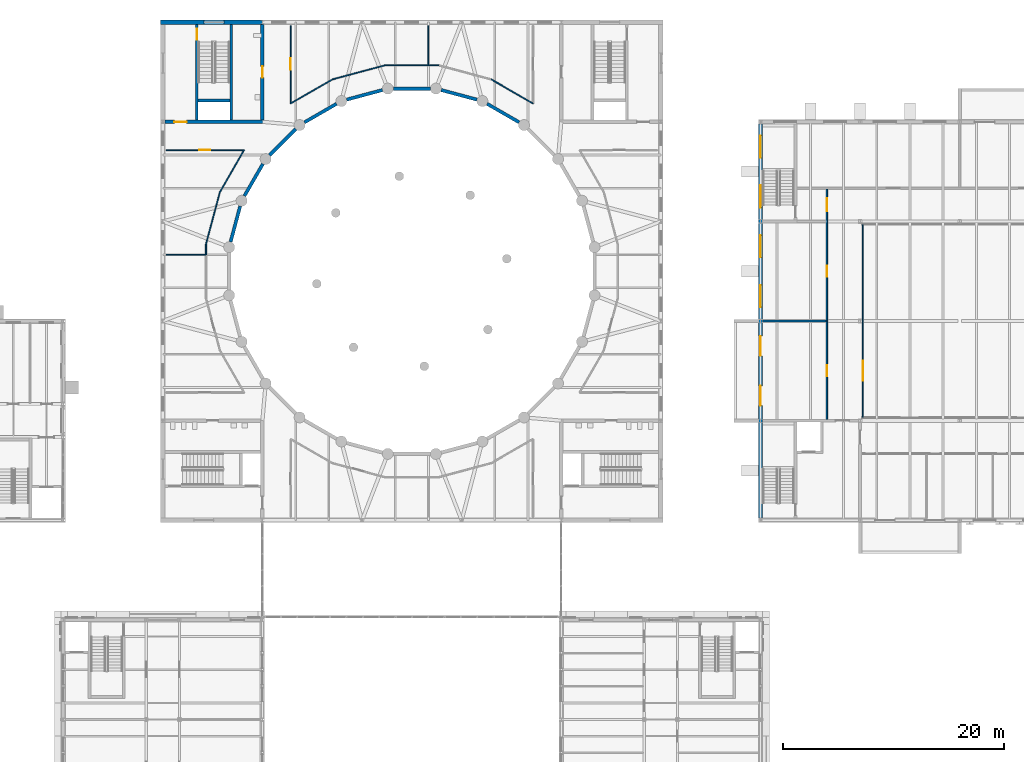
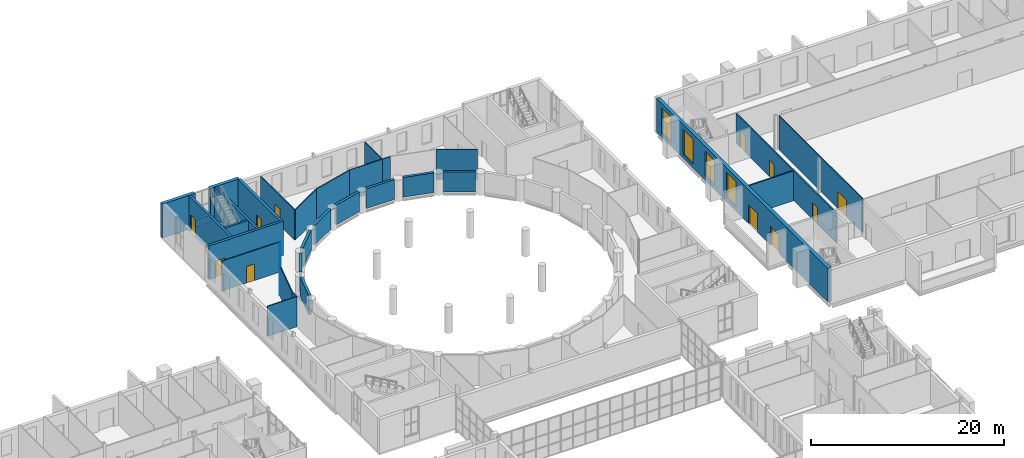
# One storey, part 85 of 134: 32 walls, 11 doors, 4 windows, 15 openings.
"""IFC4 building model written with IfcOpenShell, lengths in metres."""

from ifc_helpers import new_model, si_unit, direction, frame, frame_2d, origin, place, context, subcontext, project, spatial, rectangle, extrude, material, layer, layer_set, type_object, element, fill, save


model = new_model("IFC4")

# Units and contexts
model_context = context("Model", 3, precision=1e-05, world=origin(), true_north=direction((0.0, 1.0)))
body_context = subcontext(model_context, "Body", "Model", "MODEL_VIEW")
ifc_project = project(units=[si_unit("LENGTHUNIT", "METRE"), si_unit("AREAUNIT", "SQUARE_METRE"), si_unit("VOLUMEUNIT", "CUBIC_METRE"), si_unit("PLANEANGLEUNIT", "RADIAN"), si_unit("MASSUNIT", "GRAM", prefix="KILO")], contexts=[model_context])

# Site, building, storey
site_placement = place(None, origin())
site = spatial("IfcSite", under=ifc_project, at=site_placement, CompositionType="ELEMENT")
building_placement = place(site_placement, origin())
building = spatial("IfcBuilding", under=site, at=building_placement, Name="Golden Quay Civic Hall", CompositionType="ELEMENT")
storey_placement = place(building_placement, frame((0.0, 0.0, 5.39990234375)))
storey = spatial("IfcBuildingStorey", under=building, at=storey_placement, Name="L01", CompositionType="ELEMENT", Elevation=5.39990234375)

# Wall, openings, doors, windows
ifc_material_1 = material(Name="Brick, dark clay facing", Category="masonry")
ifc_layer_1 = layer(ifc_material_1, 0.39990234375)
ifc_layer_set_1 = layer_set([ifc_layer_1], Name="Brick external wall 400 fire EI 120")
wall_type_1 = type_object("IfcWallType", Name="Brick external wall 400 fire EI 120", PredefinedType="STANDARD", material=ifc_layer_set_1)
wall_1_placement = place(storey_placement, frame((117.0, 63.199951171875, 0.0), z_axis=(0.0, 0.0, 1.0), x_axis=(0.0, 1.0, 0.0)))
wall_1 = element("IfcWall", 1, at=wall_1_placement, inside=storey, type_object=wall_type_1, Name="L01 external wall W", PredefinedType="STANDARD", context=body_context, shape_type="SweptSolid", body=[
    extrude(rectangle(XDim=35.60009765625, YDim=0.39990234375, at=frame_2d((17.800048828125, 0.0))), origin(), (0.0, 0.0, 1.0), 4.300048828125),
])
opening_1_placement = place(wall_1_placement, frame((19.050048828125, 0.0, 0.5)))
opening_1 = element("IfcOpeningElement", 2, at=opening_1_placement, cuts=wall_1, Name="Opening WN19", PredefinedType="OPENING", context=body_context, shape_type="SweptSolid", body=[
    extrude(rectangle(XDim=2.0, YDim=3.199951171875, at=frame_2d((1.0, 1.60009765625))), frame((0.0, 0.2099609375, 0.0), z_axis=(0.0, -1.0, 0.0), x_axis=(1.0, 0.0, 0.0)), (0.0, 0.0, 1.0), 0.419921875),
])
opening_2_placement = place(wall_1_placement, frame((23.550048828125, 0.0, 0.5)))
opening_2 = element("IfcOpeningElement", 3, at=opening_2_placement, cuts=wall_1, Name="Opening WN19", PredefinedType="OPENING", context=body_context, shape_type="SweptSolid", body=[
    extrude(rectangle(XDim=2.0, YDim=3.199951171875, at=frame_2d((1.0, 1.60009765625))), frame((0.0, 0.2099609375, 0.0), z_axis=(0.0, -1.0, 0.0), x_axis=(1.0, 0.0, 0.0)), (0.0, 0.0, 1.0), 0.419921875),
])
opening_3_placement = place(wall_1_placement, frame((28.050048828125, 0.0, 0.5)))
opening_3 = element("IfcOpeningElement", 4, at=opening_3_placement, cuts=wall_1, Name="Opening WN19", PredefinedType="OPENING", context=body_context, shape_type="SweptSolid", body=[
    extrude(rectangle(XDim=2.0, YDim=3.199951171875, at=frame_2d((1.0, 1.60009765625))), frame((0.0, 0.2099609375, 0.0), z_axis=(0.0, -1.0, 0.0), x_axis=(1.0, 0.0, 0.0)), (0.0, 0.0, 1.0), 0.419921875),
])
opening_4_placement = place(wall_1_placement, frame((32.550048828125, 0.0, 0.5)))
opening_4 = element("IfcOpeningElement", 5, at=opening_4_placement, cuts=wall_1, Name="Opening WN19", PredefinedType="OPENING", context=body_context, shape_type="SweptSolid", body=[
    extrude(rectangle(XDim=2.0, YDim=3.199951171875, at=frame_2d((1.0, 1.60009765625))), frame((0.0, 0.2099609375, 0.0), z_axis=(0.0, -1.0, 0.0), x_axis=(1.0, 0.0, 0.0)), (0.0, 0.0, 1.0), 0.419921875),
])
opening_5_placement = place(wall_1_placement, frame((10.14990234375, 0.0, 0.0)))
opening_5 = element("IfcOpeningElement", 6, at=opening_5_placement, cuts=wall_1, Name="Opening L01-D020", PredefinedType="OPENING", context=body_context, shape_type="SweptSolid", body=[
    extrude(rectangle(XDim=1.800048828125, YDim=2.39990234375, at=frame_2d((0.89990234375, 1.199951171875))), frame((0.0, 0.2099609375, 0.0), z_axis=(0.0, -1.0, 0.0), x_axis=(1.0, 0.0, 0.0)), (0.0, 0.0, 1.0), 0.419921875),
])
opening_6_placement = place(wall_1_placement, frame((14.64990234375, 0.0, 0.0)))
opening_6 = element("IfcOpeningElement", 7, at=opening_6_placement, cuts=wall_1, Name="Opening L01-D021", PredefinedType="OPENING", context=body_context, shape_type="SweptSolid", body=[
    extrude(rectangle(XDim=1.800048828125, YDim=2.39990234375, at=frame_2d((0.89990234375, 1.199951171875))), frame((0.0, 0.2099609375, 0.0), z_axis=(0.0, -1.0, 0.0), x_axis=(1.0, 0.0, 0.0)), (0.0, 0.0, 1.0), 0.419921875),
])
ifc_material_2 = material(Name="Aluminium frame, glazed", Category="aluminium")
door_type_1 = type_object("IfcDoorType", Name="Glazed double terrace door 1800 x 2400", OperationType="DOUBLE_DOOR_SINGLE_SWING", PredefinedType="DOOR", material=ifc_material_2)
door_1_placement = place(opening_5_placement, origin())
door_1 = element("IfcDoor", 8, at=door_1_placement, inside=storey, type_object=door_type_1, Name="Loggia door L01 W112", OperationType="DOUBLE_DOOR_SINGLE_SWING", OverallHeight=2.39990234375, OverallWidth=1.800048828125, PredefinedType="DOOR", context=body_context, shape_type="SweptSolid", body=[
    extrude(rectangle(XDim=1.800048828125, YDim=2.39990234375, at=frame_2d((0.89990234375, 1.199951171875))), frame((0.0, 0.02490234375, 0.0), z_axis=(0.0, -1.0, 0.0), x_axis=(1.0, 0.0, 0.0)), (0.0, 0.0, 1.0), 0.050048828125),
])
fill(opening_5, door_1)
door_2_placement = place(opening_6_placement, origin())
door_2 = element("IfcDoor", 9, at=door_2_placement, inside=storey, type_object=door_type_1, Name="Loggia door L01 W157", OperationType="DOUBLE_DOOR_SINGLE_SWING", OverallHeight=2.39990234375, OverallWidth=1.800048828125, PredefinedType="DOOR", context=body_context, shape_type="SweptSolid", body=[
    extrude(rectangle(XDim=1.800048828125, YDim=2.39990234375, at=frame_2d((0.89990234375, 1.199951171875))), frame((0.0, 0.02490234375, 0.0), z_axis=(0.0, -1.0, 0.0), x_axis=(1.0, 0.0, 0.0)), (0.0, 0.0, 1.0), 0.050048828125),
])
fill(opening_6, door_2)
ifc_material_3 = material(Name="Timber", Category="wood")
window_type = type_object("IfcWindowType", Name="Tall timber window 2000 x 3200", PartitioningType="SINGLE_PANEL", PredefinedType="WINDOW", material=ifc_material_3)
window_1_placement = place(opening_1_placement, origin())
window_1 = element("IfcWindow", 10, at=window_1_placement, inside=storey, type_object=window_type, Name="L01 window W202", OverallHeight=3.199951171875, OverallWidth=2.0, PartitioningType="SINGLE_PANEL", PredefinedType="WINDOW", context=body_context, shape_type="SweptSolid", body=[
    extrude(rectangle(XDim=2.0, YDim=3.199951171875, at=frame_2d((1.0, 1.60009765625))), frame((0.0, 0.030029296875, 0.0), z_axis=(0.0, -1.0, 0.0), x_axis=(1.0, 0.0, 0.0)), (0.0, 0.0, 1.0), 0.06005859375),
])
fill(opening_1, window_1)
window_2_placement = place(opening_2_placement, origin())
window_2 = element("IfcWindow", 11, at=window_2_placement, inside=storey, type_object=window_type, Name="L01 window W247", OverallHeight=3.199951171875, OverallWidth=2.0, PartitioningType="SINGLE_PANEL", PredefinedType="WINDOW", context=body_context, shape_type="SweptSolid", body=[
    extrude(rectangle(XDim=2.0, YDim=3.199951171875, at=frame_2d((1.0, 1.60009765625))), frame((0.0, 0.030029296875, 0.0), z_axis=(0.0, -1.0, 0.0), x_axis=(1.0, 0.0, 0.0)), (0.0, 0.0, 1.0), 0.06005859375),
])
fill(opening_2, window_2)
window_3_placement = place(opening_3_placement, origin())
window_3 = element("IfcWindow", 12, at=window_3_placement, inside=storey, type_object=window_type, Name="L01 window W292", OverallHeight=3.199951171875, OverallWidth=2.0, PartitioningType="SINGLE_PANEL", PredefinedType="WINDOW", context=body_context, shape_type="SweptSolid", body=[
    extrude(rectangle(XDim=2.0, YDim=3.199951171875, at=frame_2d((1.0, 1.60009765625))), frame((0.0, 0.030029296875, 0.0), z_axis=(0.0, -1.0, 0.0), x_axis=(1.0, 0.0, 0.0)), (0.0, 0.0, 1.0), 0.06005859375),
])
fill(opening_3, window_3)
window_4_placement = place(opening_4_placement, origin())
window_4 = element("IfcWindow", 13, at=window_4_placement, inside=storey, type_object=window_type, Name="L01 window W337", OverallHeight=3.199951171875, OverallWidth=2.0, PartitioningType="SINGLE_PANEL", PredefinedType="WINDOW", context=body_context, shape_type="SweptSolid", body=[
    extrude(rectangle(XDim=2.0, YDim=3.199951171875, at=frame_2d((1.0, 1.60009765625))), frame((0.0, 0.030029296875, 0.0), z_axis=(0.0, -1.0, 0.0), x_axis=(1.0, 0.0, 0.0)), (0.0, 0.0, 1.0), 0.06005859375),
])
fill(opening_4, window_4)

# Walls
ifc_material_4 = material(Name="Plasterboard on steel studs", Category="steel")
ifc_layer_2 = layer(ifc_material_4, 0.10009765625)
ifc_layer_set_2 = layer_set([ifc_layer_2], Name="Partition 100 stud")
wall_type_2 = type_object("IfcWallType", Name="Partition 100 stud", PredefinedType="PARTITIONING", material=ifc_layer_set_2)
for number, where, z_axis, x_axis, name in (
    (14, (66.89990234375, 87.0, 0.0), (0.0, 0.0, 1.0), (-1.0, 0.0, 0.0), "Partition 15"),
    (15, (87.0, 104.10009765625, 0.0), (0.0, 0.0, 1.0), (0.0, 1.0, 0.0), "Partition 23"),
):
    element("IfcWall", number, at=place(storey_placement, frame(where, z_axis=z_axis, x_axis=x_axis)), inside=storey, type_object=wall_type_2, Name=name, PredefinedType="PARTITIONING", context=body_context, shape_type="SweptSolid", body=[
        extrude(rectangle(XDim=3.579833984375, YDim=0.10009765625, at=frame_2d((1.7900390625, 0.0))), origin(), (0.0, 0.0, 1.0), 3.81005859375),
    ])

# Wall, opening, door
wall_2_placement = place(storey_placement, frame((126.25, 72.300048828125, 0.0), z_axis=(0.0, 0.0, 1.0), x_axis=(0.0, 1.0, 0.0)))
wall_2 = element("IfcWall", 16, at=wall_2_placement, inside=storey, type_object=wall_type_2, Name="L01 reading room wall W", PredefinedType="PARTITIONING", context=body_context, shape_type="SweptSolid", body=[
    extrude(rectangle(XDim=17.39990234375, YDim=0.10009765625, at=frame_2d((8.699951171875, 0.0))), origin(), (0.0, 0.0, 1.0), 4.300048828125),
])
opening_7_placement = place(wall_2_placement, frame((3.300048828125, 0.0, 0.0)))
opening_7 = element("IfcOpeningElement", 17, at=opening_7_placement, cuts=wall_2, Name="Opening L01-D212", PredefinedType="OPENING", context=body_context, shape_type="SweptSolid", body=[
    extrude(rectangle(XDim=1.800048828125, YDim=2.10009765625, at=frame_2d((0.89990234375, 1.050048828125))), frame((0.0, 0.06005859375, 0.0), z_axis=(0.0, -1.0, 0.0), x_axis=(1.0, 0.0, 0.0)), (0.0, 0.0, 1.0), 0.1201171875),
])
ifc_material_5 = material(Name="Timber", Category="wood")
door_type_2 = type_object("IfcDoorType", Name="Timber double door 1800 x 2100", OperationType="NOTDEFINED", PredefinedType="DOOR", material=ifc_material_5)
door_3_placement = place(opening_7_placement, frame((1.800048828125, 0.0, 0.0), z_axis=(0.0, 0.0, 1.0), x_axis=(-1.0, 0.0, 0.0)))
door_3 = element("IfcDoor", 18, at=door_3_placement, inside=storey, type_object=door_type_2, Name="Reading Room door", OperationType="DOUBLE_DOOR_SINGLE_SWING", OverallHeight=2.10009765625, OverallWidth=1.800048828125, PredefinedType="DOOR", context=body_context, shape_type="SweptSolid", body=[
    extrude(rectangle(XDim=1.800048828125, YDim=2.10009765625, at=frame_2d((0.900146484375, 1.050048828125))), frame((0.0, 0.025146484375, 0.0), z_axis=(0.0, -1.0, 0.0), x_axis=(1.0, 0.0, 0.0)), (0.0, 0.0, 1.0), 0.050048828125),
])
fill(opening_7, door_3)

# Walls
ifc_material_6 = material(Name="Gypsum board on steel stud", Category="steel")
ifc_layer_3 = layer(ifc_material_6, 0.10009765625)
ifc_layer_set_3 = layer_set([ifc_layer_3], Name="Partition 100 stud fire EI 60")
wall_type_3 = type_object("IfcWallType", Name="Partition 100 stud fire EI 60", PredefinedType="PARTITIONING", material=ifc_layer_set_3)
wall_3_placement = place(storey_placement, frame((66.89990234375, 86.97998046875, 0.0), z_axis=(0.0, 0.0, 1.0), x_axis=(0.0, 1.0, 0.0)))
element("IfcWall", 19, at=wall_3_placement, inside=storey, type_object=wall_type_3, Name="Partition 19", PredefinedType="PARTITIONING", context=body_context, shape_type="SweptSolid", body=[
    extrude(rectangle(XDim=0.96875, YDim=0.10009765625, at=frame_2d((0.484375, 0.0))), origin(), (0.0, 0.0, 1.0), 3.81005859375),
])
wall_4_placement = place(storey_placement, frame((66.89990234375, 87.94873046875, 0.0), z_axis=(0.0, 0.0, 1.0), x_axis=(0.258829112515, 0.965923128678, 0.0)))
element("IfcWall", 20, at=wall_4_placement, inside=storey, type_object=wall_type_3, Name="Partition 20", PredefinedType="PARTITIONING", context=body_context, shape_type="SweptSolid", body=[
    extrude(rectangle(XDim=4.8974609375, YDim=0.10009765625, at=frame_2d((2.44873046875, 0.0))), origin(), (0.0, 0.0, 1.0), 3.81005859375),
])
wall_5_placement = place(storey_placement, frame((68.16748046875, 92.67919921875, 0.0), z_axis=(0.0, 0.0, 1.0), x_axis=(0.499992644437, 0.866029650479, 0.0)))
element("IfcWall", 21, at=wall_5_placement, inside=storey, type_object=wall_type_3, Name="Partition 21", PredefinedType="PARTITIONING", context=body_context, shape_type="SweptSolid", body=[
    extrude(rectangle(XDim=4.35400390625, YDim=0.10009765625, at=frame_2d((2.177001953125, 0.0))), origin(), (0.0, 0.0, 1.0), 3.81005859375),
])

# Wall, opening, door
wall_6_placement = place(storey_placement, frame((70.344482421875, 96.449951171875, 0.0), z_axis=(0.0, 0.0, 1.0), x_axis=(-1.0, 0.0, 0.0)))
wall_6 = element("IfcWall", 22, at=wall_6_placement, inside=storey, type_object=wall_type_3, Name="Partition 22", PredefinedType="PARTITIONING", context=body_context, shape_type="SweptSolid", body=[
    extrude(rectangle(XDim=7.0244140625, YDim=0.10009765625, at=frame_2d((3.51220703125, 0.0))), origin(), (0.0, 0.0, 1.0), 3.81005859375),
])
opening_8_placement = place(wall_6_placement, frame((3.072265625, 0.0, 0.0)))
opening_8 = element("IfcOpeningElement", 23, at=opening_8_placement, cuts=wall_6, Name="Opening L01-D183", PredefinedType="OPENING", context=body_context, shape_type="SweptSolid", body=[
    extrude(rectangle(XDim=1.0, YDim=2.10009765625, at=frame_2d((0.5, 1.050048828125))), frame((0.0, 0.06005859375, 0.0), z_axis=(0.0, -1.0, 0.0), x_axis=(1.0, 0.0, 0.0)), (0.0, 0.0, 1.0), 0.1201171875),
])
ifc_material_7 = material(Name="Timber", Category="wood")
door_type_3 = type_object("IfcDoorType", Name="Timber fire door FD30S 1000 x 2100", OperationType="SINGLE_SWING_LEFT", PredefinedType="DOOR", material=ifc_material_7)
door_4_placement = place(opening_8_placement, origin())
door_4 = element("IfcDoor", 24, at=door_4_placement, inside=storey, type_object=door_type_3, Name="Door Members' Servery", OperationType="SINGLE_SWING_LEFT", OverallHeight=2.10009765625, OverallWidth=1.0, PredefinedType="DOOR", context=body_context, shape_type="SweptSolid", body=[
    extrude(rectangle(XDim=1.0, YDim=2.10009765625, at=frame_2d((0.5, 1.050048828125))), frame((0.0, 0.02490234375, 0.0), z_axis=(0.0, -1.0, 0.0), x_axis=(1.0, 0.0, 0.0)), (0.0, 0.0, 1.0), 0.050048828125),
])
fill(opening_8, door_4)

wall_7_placement = place(storey_placement, frame((74.550048828125, 107.679931640625, 0.0), z_axis=(0.0, 0.0, 1.0), x_axis=(0.0, -1.0, 0.0)))
wall_7 = element("IfcWall", 25, at=wall_7_placement, inside=storey, type_object=wall_type_3, Name="Partition 24", PredefinedType="PARTITIONING", context=body_context, shape_type="SweptSolid", body=[
    extrude(rectangle(XDim=7.0244140625, YDim=0.10009765625, at=frame_2d((3.51220703125, 0.0))), origin(), (0.0, 0.0, 1.0), 3.81005859375),
])
opening_9_placement = place(wall_7_placement, frame((2.952392578125, 0.0, 0.0)))
opening_9 = element("IfcOpeningElement", 26, at=opening_9_placement, cuts=wall_7, Name="Opening L01-D184", PredefinedType="OPENING", context=body_context, shape_type="SweptSolid", body=[
    extrude(rectangle(XDim=1.0, YDim=2.10009765625, at=frame_2d((0.5, 1.050048828125))), frame((0.0, 0.06005859375, 0.0), z_axis=(0.0, -1.0, 0.0), x_axis=(1.0, 0.0, 0.0)), (0.0, 0.0, 1.0), 0.1201171875),
])
door_5_placement = place(opening_9_placement, origin())
door_5 = element("IfcDoor", 27, at=door_5_placement, inside=storey, type_object=door_type_3, Name="Door Large Committee Room 1", OperationType="SINGLE_SWING_LEFT", OverallHeight=2.10009765625, OverallWidth=1.0, PredefinedType="DOOR", context=body_context, shape_type="SweptSolid", body=[
    extrude(rectangle(XDim=1.0, YDim=2.10009765625, at=frame_2d((0.5, 1.050048828125))), frame((0.0, 0.02490234375, 0.0), z_axis=(0.0, -1.0, 0.0), x_axis=(1.0, 0.0, 0.0)), (0.0, 0.0, 1.0), 0.050048828125),
])
fill(opening_9, door_5)

# Walls
wall_8_placement = place(storey_placement, frame((74.550048828125, 100.655517578125, 0.0), z_axis=(0.0, 0.0, 1.0), x_axis=(0.866029650479, 0.499992644437, 0.0)))
element("IfcWall", 28, at=wall_8_placement, inside=storey, type_object=wall_type_3, Name="Partition 25", PredefinedType="PARTITIONING", context=body_context, shape_type="SweptSolid", body=[
    extrude(rectangle(XDim=4.35400390625, YDim=0.10009765625, at=frame_2d((2.177001953125, 0.0))), origin(), (0.0, 0.0, 1.0), 3.81005859375),
])
wall_9_placement = place(storey_placement, frame((78.32080078125, 102.83251953125, 0.0), z_axis=(0.0, 0.0, 1.0), x_axis=(0.965923128678, 0.258829112515, 0.0)))
element("IfcWall", 29, at=wall_9_placement, inside=storey, type_object=wall_type_3, Name="Partition 26", PredefinedType="PARTITIONING", context=body_context, shape_type="SweptSolid", body=[
    extrude(rectangle(XDim=4.8974609375, YDim=0.10009765625, at=frame_2d((2.44873046875, 0.0))), origin(), (0.0, 0.0, 1.0), 3.81005859375),
])
wall_10_placement = place(storey_placement, frame((83.05126953125, 104.10009765625, 0.0), z_axis=(0.0, 0.0, 1.0), x_axis=(1.0, 0.0, 0.0)))
element("IfcWall", 30, at=wall_10_placement, inside=storey, type_object=wall_type_3, Name="Partition 27", PredefinedType="PARTITIONING", context=body_context, shape_type="SweptSolid", body=[
    extrude(rectangle(XDim=3.96875, YDim=0.10009765625, at=frame_2d((1.984375, 0.0))), origin(), (0.0, 0.0, 1.0), 3.81005859375),
])
wall_11_placement = place(storey_placement, frame((86.97998046875, 104.10009765625, 0.0), z_axis=(0.0, 0.0, 1.0), x_axis=(1.0, 0.0, 0.0)))
element("IfcWall", 31, at=wall_11_placement, inside=storey, type_object=wall_type_3, Name="Partition 28", PredefinedType="PARTITIONING", context=body_context, shape_type="SweptSolid", body=[
    extrude(rectangle(XDim=0.96875, YDim=0.10009765625, at=frame_2d((0.484375, 0.0))), origin(), (0.0, 0.0, 1.0), 3.81005859375),
])
wall_12_placement = place(storey_placement, frame((92.67919921875, 102.83251953125, 0.0), z_axis=(0.0, 0.0, 1.0), x_axis=(0.866029650479, -0.499992644437, 0.0)))
element("IfcWall", 32, at=wall_12_placement, inside=storey, type_object=wall_type_3, Name="Partition 30", PredefinedType="PARTITIONING", context=body_context, shape_type="SweptSolid", body=[
    extrude(rectangle(XDim=4.35400390625, YDim=0.10009765625, at=frame_2d((2.177001953125, 0.0))), origin(), (0.0, 0.0, 1.0), 3.81005859375),
])
ifc_material_8 = material(Name="Plasterboard on steel studs", Category="steel")
ifc_layer_4 = layer(ifc_material_8, 0.14990234375)
ifc_layer_set_4 = layer_set([ifc_layer_4], Name="Partition 150 stud fire EI 60")
wall_type_4 = type_object("IfcWallType", Name="Partition 150 stud fire EI 60", PredefinedType="PARTITIONING", material=ifc_layer_set_4)
wall_13_placement = place(storey_placement, frame((117.199951171875, 81.0, 0.0), z_axis=(0.0, 0.0, 1.0), x_axis=(1.0, 0.0, 0.0)))
element("IfcWall", 33, at=wall_13_placement, inside=storey, type_object=wall_type_4, Name="L01 partition H18-0.20", PredefinedType="PARTITIONING", context=body_context, shape_type="SweptSolid", body=[
    extrude(rectangle(XDim=5.72509765625, YDim=0.14990234375, at=frame_2d((2.862548828125, 0.0))), origin(), (0.0, 0.0, 1.0), 3.780029296875),
])

# Wall, openings, doors
wall_14_placement = place(storey_placement, frame((123.0, 72.125, 0.0), z_axis=(0.0, 0.0, 1.0), x_axis=(0.0, 1.0, 0.0)))
wall_14 = element("IfcWall", 34, at=wall_14_placement, inside=storey, type_object=wall_type_4, Name="L01 partition V6-9.12", PredefinedType="PARTITIONING", context=body_context, shape_type="SweptSolid", body=[
    extrude(rectangle(XDim=20.800048828125, YDim=0.14990234375, at=frame_2d((10.39990234375, 0.0))), origin(), (0.0, 0.0, 1.0), 3.780029296875),
])
opening_10_placement = place(wall_14_placement, frame((3.875, 0.0, 0.0)))
opening_10 = element("IfcOpeningElement", 35, at=opening_10_placement, cuts=wall_14, Name="Opening L01-D199", PredefinedType="OPENING", context=body_context, shape_type="SweptSolid", body=[
    extrude(rectangle(XDim=1.0, YDim=2.10009765625, at=frame_2d((0.5, 1.050048828125))), frame((0.0, 0.0849609375, 0.0), z_axis=(0.0, -1.0, 0.0), x_axis=(1.0, 0.0, 0.0)), (0.0, 0.0, 1.0), 0.169921875),
])
opening_11_placement = place(wall_14_placement, frame((12.875, 0.0, 0.0)))
opening_11 = element("IfcOpeningElement", 36, at=opening_11_placement, cuts=wall_14, Name="Opening L01-D200", PredefinedType="OPENING", context=body_context, shape_type="SweptSolid", body=[
    extrude(rectangle(XDim=1.0, YDim=2.10009765625, at=frame_2d((0.5, 1.050048828125))), frame((0.0, 0.0849609375, 0.0), z_axis=(0.0, -1.0, 0.0), x_axis=(1.0, 0.0, 0.0)), (0.0, 0.0, 1.0), 0.169921875),
])
opening_12_placement = place(wall_14_placement, frame((18.77490234375, 0.0, 0.0)))
opening_12 = element("IfcOpeningElement", 37, at=opening_12_placement, cuts=wall_14, Name="Opening L01-D201", PredefinedType="OPENING", context=body_context, shape_type="SweptSolid", body=[
    extrude(rectangle(XDim=1.199951171875, YDim=2.10009765625, at=frame_2d((0.60009765625, 1.050048828125))), frame((0.0, 0.0849609375, 0.0), z_axis=(0.0, -1.0, 0.0), x_axis=(1.0, 0.0, 0.0)), (0.0, 0.0, 1.0), 0.169921875),
])
ifc_material_9 = material(Name="Timber", Category="wood")
door_type_4 = type_object("IfcDoorType", Name="Timber fire door FD60 1000 x 2100", OperationType="SINGLE_SWING_LEFT", PredefinedType="DOOR", material=ifc_material_9)
door_6_placement = place(opening_10_placement, origin())
door_6 = element("IfcDoor", 38, at=door_6_placement, inside=storey, type_object=door_type_4, Name="Archive and Stacks door", OperationType="SINGLE_SWING_LEFT", OverallHeight=2.10009765625, OverallWidth=1.0, PredefinedType="DOOR", context=body_context, shape_type="SweptSolid", body=[
    extrude(rectangle(XDim=1.0, YDim=2.10009765625, at=frame_2d((0.5, 1.050048828125))), frame((0.0, 0.02490234375, 0.0), z_axis=(0.0, -1.0, 0.0), x_axis=(1.0, 0.0, 0.0)), (0.0, 0.0, 1.0), 0.050048828125),
])
fill(opening_10, door_6)
door_7_placement = place(opening_11_placement, origin())
door_7 = element("IfcDoor", 39, at=door_7_placement, inside=storey, type_object=door_type_4, Name="Archive and Stacks door", OperationType="SINGLE_SWING_LEFT", OverallHeight=2.10009765625, OverallWidth=1.0, PredefinedType="DOOR", context=body_context, shape_type="SweptSolid", body=[
    extrude(rectangle(XDim=1.0, YDim=2.10009765625, at=frame_2d((0.5, 1.050048828125))), frame((0.0, 0.02490234375, 0.0), z_axis=(0.0, -1.0, 0.0), x_axis=(1.0, 0.0, 0.0)), (0.0, 0.0, 1.0), 0.050048828125),
])
fill(opening_11, door_7)
ifc_material_10 = material(Name="Timber", Category="wood")
door_type_5 = type_object("IfcDoorType", Name="Timber fire door FD60 1200 x 2100", OperationType="SINGLE_SWING_LEFT", PredefinedType="DOOR", material=ifc_material_10)
door_8_placement = place(opening_12_placement, frame((1.199951171875, 0.0, 0.0), z_axis=(0.0, 0.0, 1.0), x_axis=(-1.0, 0.0, 0.0)))
door_8 = element("IfcDoor", 40, at=door_8_placement, inside=storey, type_object=door_type_5, Name="Stair Lobby door", OperationType="SINGLE_SWING_RIGHT", OverallHeight=2.10009765625, OverallWidth=1.199951171875, PredefinedType="DOOR", context=body_context, shape_type="SweptSolid", body=[
    extrude(rectangle(XDim=1.199951171875, YDim=2.10009765625, at=frame_2d((0.599853515625, 1.050048828125))), frame((0.0, 0.025146484375, 0.0), z_axis=(0.0, -1.0, 0.0), x_axis=(1.0, 0.0, 0.0)), (0.0, 0.0, 1.0), 0.050048828125),
])
fill(opening_12, door_8)

# Wall, opening, door
ifc_material_11 = material(Name="Concrete C40/50", Category="concrete")
ifc_layer_5 = layer(ifc_material_11, 0.300048828125)
ifc_layer_set_5 = layer_set([ifc_layer_5], Name="Reinforced concrete core wall 300, Concrete C40/50")
wall_type_5 = type_object("IfcWallType", Name="Reinforced concrete core wall 300", PredefinedType="SHEAR", material=ifc_layer_set_5)
wall_15_placement = place(storey_placement, frame((63.199951171875, 99.0, 0.0), z_axis=(0.0, 0.0, 1.0), x_axis=(1.0, 0.0, 0.0)))
wall_15 = element("IfcWall", 41, at=wall_15_placement, inside=storey, type_object=wall_type_5, Name="Core wall NW A", PredefinedType="SHEAR", context=body_context, shape_type="SweptSolid", body=[
    extrude(rectangle(XDim=8.949951171875, YDim=0.300048828125, at=frame_2d((4.47509765625, 0.0))), origin(), (0.0, 0.0, 1.0), 4.300048828125),
])
opening_13_placement = place(wall_15_placement, frame((0.85009765625, 0.0, 0.0)))
opening_13 = element("IfcOpeningElement", 42, at=opening_13_placement, cuts=wall_15, Name="Opening L01-D173", PredefinedType="OPENING", context=body_context, shape_type="SweptSolid", body=[
    extrude(rectangle(XDim=1.10009765625, YDim=2.10009765625, at=frame_2d((0.550048828125, 1.050048828125))), frame((0.0, 0.159912109375, 0.0), z_axis=(0.0, -1.0, 0.0), x_axis=(1.0, 0.0, 0.0)), (0.0, 0.0, 1.0), 0.320068359375),
])
ifc_material_12 = material(Name="Steel", Category="steel")
door_type_6 = type_object("IfcDoorType", Name="Steel fire door FD60 1100 x 2100", OperationType="SINGLE_SWING_LEFT", PredefinedType="DOOR", material=ifc_material_12)
door_9_placement = place(opening_13_placement, frame((1.10009765625, 0.0, 0.0), z_axis=(0.0, 0.0, 1.0), x_axis=(-1.0, 0.0, 0.0)))
door_9 = element("IfcDoor", 43, at=door_9_placement, inside=storey, type_object=door_type_6, Name="Core lobby door NW", OperationType="SINGLE_SWING_RIGHT", OverallHeight=2.10009765625, OverallWidth=1.10009765625, PredefinedType="DOOR", context=body_context, shape_type="SweptSolid", body=[
    extrude(rectangle(XDim=1.10009765625, YDim=2.10009765625, at=frame_2d((0.550048828125, 1.050048828125))), frame((0.0, 0.025146484375, 0.0), z_axis=(0.0, -1.0, 0.0), x_axis=(1.0, 0.0, 0.0)), (0.0, 0.0, 1.0), 0.050048828125),
])
fill(opening_13, door_9)

wall_16_placement = place(storey_placement, frame((72.0, 107.800048828125, 0.0), z_axis=(0.0, 0.0, 1.0), x_axis=(0.0, -1.0, 0.0)))
wall_16 = element("IfcWall", 44, at=wall_16_placement, inside=storey, type_object=wall_type_5, Name="Core wall NW B", PredefinedType="SHEAR", context=body_context, shape_type="SweptSolid", body=[
    extrude(rectangle(XDim=8.650146484375, YDim=0.300048828125, at=frame_2d((4.3251953125, 0.0))), origin(), (0.0, 0.0, 1.0), 4.300048828125),
])
opening_14_placement = place(wall_16_placement, frame((3.800048828125, 0.0, 0.0)))
opening_14 = element("IfcOpeningElement", 45, at=opening_14_placement, cuts=wall_16, Name="Opening L01-D174", PredefinedType="OPENING", context=body_context, shape_type="SweptSolid", body=[
    extrude(rectangle(XDim=1.0, YDim=2.10009765625, at=frame_2d((0.5, 1.050048828125))), frame((0.0, 0.159912109375, 0.0), z_axis=(0.0, -1.0, 0.0), x_axis=(1.0, 0.0, 0.0)), (0.0, 0.0, 1.0), 0.320068359375),
])
ifc_material_13 = material(Name="Steel", Category="steel")
door_type_7 = type_object("IfcDoorType", Name="Steel fire door FD60 1000 x 2100", OperationType="SINGLE_SWING_LEFT", PredefinedType="DOOR", material=ifc_material_13)
door_10_placement = place(opening_14_placement, frame((1.0, 0.0, 0.0), z_axis=(0.0, 0.0, 1.0), x_axis=(-1.0, 0.0, 0.0)))
door_10 = element("IfcDoor", 46, at=door_10_placement, inside=storey, type_object=door_type_7, Name="Service door NW", OperationType="SINGLE_SWING_RIGHT", OverallHeight=2.10009765625, OverallWidth=1.0, PredefinedType="DOOR", context=body_context, shape_type="SweptSolid", body=[
    extrude(rectangle(XDim=1.0, YDim=2.10009765625, at=frame_2d((0.5, 1.050048828125))), frame((0.0, 0.025146484375, 0.0), z_axis=(0.0, -1.0, 0.0), x_axis=(1.0, 0.0, 0.0)), (0.0, 0.0, 1.0), 0.050048828125),
])
fill(opening_14, door_10)

ifc_material_14 = material(Name="Concrete C40/50", Category="concrete")
ifc_layer_6 = layer(ifc_material_14, 0.25)
ifc_layer_set_6 = layer_set([ifc_layer_6], Name="Reinforced concrete shaft wall 250, Concrete C40/50")
wall_type_6 = type_object("IfcWallType", Name="Reinforced concrete shaft wall 250", PredefinedType="SHEAR", material=ifc_layer_set_6)
wall_17_placement = place(storey_placement, frame((66.074951171875, 107.800048828125, 0.0), z_axis=(0.0, 0.0, 1.0), x_axis=(0.0, -1.0, 0.0)))
wall_17 = element("IfcWall", 47, at=wall_17_placement, inside=storey, type_object=wall_type_6, Name="Shaft wall NW 1", PredefinedType="SHEAR", context=body_context, shape_type="SweptSolid", body=[
    extrude(rectangle(XDim=8.650146484375, YDim=0.25, at=frame_2d((4.3251953125, 0.0))), origin(), (0.0, 0.0, 1.0), 4.300048828125),
])
opening_15_placement = place(wall_17_placement, frame((0.39990234375, 0.0, 0.0)))
opening_15 = element("IfcOpeningElement", 48, at=opening_15_placement, cuts=wall_17, Name="Opening L01-D172", PredefinedType="OPENING", context=body_context, shape_type="SweptSolid", body=[
    extrude(rectangle(XDim=1.0, YDim=2.10009765625, at=frame_2d((0.5, 1.050048828125))), frame((0.0, 0.135009765625, 0.0), z_axis=(0.0, -1.0, 0.0), x_axis=(1.0, 0.0, 0.0)), (0.0, 0.0, 1.0), 0.27001953125),
])
door_11_placement = place(opening_15_placement, origin())
door_11 = element("IfcDoor", 49, at=door_11_placement, inside=storey, type_object=door_type_6, Name="Stair door NW", OperationType="SINGLE_SWING_LEFT", OverallHeight=2.10009765625, OverallWidth=1.0, PredefinedType="DOOR", context=body_context, shape_type="SweptSolid", body=[
    extrude(rectangle(XDim=1.0, YDim=2.10009765625, at=frame_2d((0.5, 1.050048828125))), frame((0.0, 0.02490234375, 0.0), z_axis=(0.0, -1.0, 0.0), x_axis=(1.0, 0.0, 0.0)), (0.0, 0.0, 1.0), 0.050048828125),
])
fill(opening_15, door_11)

# Walls
wall_18_placement = place(storey_placement, frame((69.175048828125, 107.800048828125, 0.0), z_axis=(0.0, 0.0, 1.0), x_axis=(0.0, -1.0, 0.0)))
element("IfcWall", 50, at=wall_18_placement, inside=storey, type_object=wall_type_6, Name="Shaft wall NW 2", PredefinedType="SHEAR", context=body_context, shape_type="SweptSolid", body=[
    extrude(rectangle(XDim=8.650146484375, YDim=0.25, at=frame_2d((4.3251953125, 0.0))), origin(), (0.0, 0.0, 1.0), 4.300048828125),
])
wall_19_placement = place(storey_placement, frame((66.199951171875, 100.925048828125, 0.0), z_axis=(0.0, 0.0, 1.0), x_axis=(1.0, 0.0, 0.0)))
element("IfcWall", 51, at=wall_19_placement, inside=storey, type_object=wall_type_6, Name="Shaft wall NW 3", PredefinedType="SHEAR", context=body_context, shape_type="SweptSolid", body=[
    extrude(rectangle(XDim=2.85009765625, YDim=0.25, at=frame_2d((1.425048828125, 0.0))), origin(), (0.0, 0.0, 1.0), 4.300048828125),
])
ifc_material_15 = material(Name="Brick masonry with render", Category="masonry")
ifc_layer_7 = layer(ifc_material_15, 0.39990234375)
ifc_layer_set_7 = layer_set([ifc_layer_7], Name="Rendered brick external wall 400 fire EI 120")
wall_type_7 = type_object("IfcWallType", Name="Rendered brick external wall 400 fire EI 120", PredefinedType="STANDARD", material=ifc_layer_set_7)
wall_20_placement = place(storey_placement, frame((62.800048828125, 108.0, 0.0), z_axis=(0.0, 0.0, 1.0), x_axis=(1.0, 0.0, 0.0)))
element("IfcWall", 52, at=wall_20_placement, inside=storey, type_object=wall_type_7, Name="Base wall N 62", PredefinedType="STANDARD", context=body_context, shape_type="SweptSolid", body=[
    extrude(rectangle(XDim=3.925048828125, YDim=0.39990234375, at=frame_2d((1.96240234375, 0.0))), origin(), (0.0, 0.0, 1.0), 4.300048828125),
])
wall_21_placement = place(storey_placement, frame((68.52490234375, 108.0, 0.0), z_axis=(0.0, 0.0, 1.0), x_axis=(1.0, 0.0, 0.0)))
element("IfcWall", 53, at=wall_21_placement, inside=storey, type_object=wall_type_7, Name="Base wall N 62 (beyond the bay)", PredefinedType="STANDARD", context=body_context, shape_type="SweptSolid", body=[
    extrude(rectangle(XDim=3.47509765625, YDim=0.39990234375, at=frame_2d((1.737548828125, 0.0))), origin(), (0.0, 0.0, 1.0), 4.300048828125),
])
wall_22_placement = place(storey_placement, frame((66.72509765625, 108.0, 0.0), z_axis=(0.0, 0.0, 1.0), x_axis=(1.0, 0.0, 0.0)))
element("IfcWall", 54, at=wall_22_placement, inside=storey, type_object=wall_type_7, Name="Base wall N 62 sill", PredefinedType="STANDARD", context=body_context, shape_type="SweptSolid", body=[
    extrude(rectangle(XDim=1.7998046875, YDim=0.39990234375, at=frame_2d((0.89990234375, 0.0))), origin(), (0.0, 0.0, 1.0), 0.900146484375),
])
ifc_material_16 = material(Name="Concrete C30/37", Category="concrete")
ifc_layer_8 = layer(ifc_material_16, 0.300048828125)
ifc_layer_set_8 = layer_set([ifc_layer_8], Name="Rotunda enclosure wall 300")
wall_type_8 = type_object("IfcWallType", Name="Rotunda enclosure wall 300", PredefinedType="PARTITIONING", material=ifc_layer_set_8)
for number, where, z_axis, x_axis, name in (
    (55, (95.1982421875, 98.953369140625, 0.0), (0.0, 0.0, 1.0), (-0.866047010698, 0.49996257386, 0.0), "Rotunda wall 4"),
    (56, (91.3857421875, 101.0048828125, 0.0), (0.0, 0.0, 1.0), (-0.965916768663, 0.258852846257, 0.0), "Rotunda wall 5"),
):
    element("IfcWall", number, at=place(storey_placement, frame(where, z_axis=z_axis, x_axis=x_axis)), inside=storey, type_object=wall_type_8, Name=name, PredefinedType="PARTITIONING", context=body_context, shape_type="SweptSolid", body=[
        extrude(rectangle(XDim=3.344482421875, YDim=0.300048828125, at=frame_2d((1.67236328125, 0.0))), origin(), (0.0, 0.0, 1.0), 2.5),
    ])
wall_23_placement = place(storey_placement, frame((87.17236328125, 102.0, 0.0), z_axis=(0.0, 0.0, 1.0), x_axis=(-1.0, 0.0, 0.0)))
element("IfcWall", 57, at=wall_23_placement, inside=storey, type_object=wall_type_8, Name="Rotunda wall 6", PredefinedType="PARTITIONING", context=body_context, shape_type="SweptSolid", body=[
    extrude(rectangle(XDim=3.3447265625, YDim=0.300048828125, at=frame_2d((1.67236328125, 0.0))), origin(), (0.0, 0.0, 1.0), 2.5),
])
for number, where, z_axis, x_axis, name in (
    (58, (82.8447265625, 101.87060546875, 0.0), (0.0, 0.0, 1.0), (-0.965916768663, -0.258852846257, 0.0), "Rotunda wall 7"),
    (59, (78.6982421875, 100.62548828125, 0.0), (0.0, 0.0, 1.0), (-0.866047010698, -0.49996257386, 0.0), "Rotunda wall 8"),
):
    element("IfcWall", number, at=place(storey_placement, frame(where, z_axis=z_axis, x_axis=x_axis)), inside=storey, type_object=wall_type_8, Name=name, PredefinedType="PARTITIONING", context=body_context, shape_type="SweptSolid", body=[
        extrude(rectangle(XDim=3.344482421875, YDim=0.300048828125, at=frame_2d((1.67236328125, 0.0))), origin(), (0.0, 0.0, 1.0), 2.5),
    ])
wall_24_placement = place(storey_placement, frame((75.01513671875, 98.349609375, 0.0), z_axis=(0.0, 0.0, 1.0), x_axis=(-0.707106781187, -0.707106781187, 0.0)))
element("IfcWall", 60, at=wall_24_placement, inside=storey, type_object=wall_type_8, Name="Rotunda wall 9", PredefinedType="PARTITIONING", context=body_context, shape_type="SweptSolid", body=[
    extrude(rectangle(XDim=3.34423828125, YDim=0.300048828125, at=frame_2d((1.672119140625, 0.0))), origin(), (0.0, 0.0, 1.0), 2.5),
])
for number, where, z_axis, x_axis, name in (
    (61, (72.046630859375, 95.1982421875, 0.0), (0.0, 0.0, 1.0), (-0.49996257386, -0.866047010698, 0.0), "Rotunda wall 10"),
    (62, (69.9951171875, 91.3857421875, 0.0), (0.0, 0.0, 1.0), (-0.258852846257, -0.965916768663, 0.0), "Rotunda wall 11"),
):
    element("IfcWall", number, at=place(storey_placement, frame(where, z_axis=z_axis, x_axis=x_axis)), inside=storey, type_object=wall_type_8, Name=name, PredefinedType="PARTITIONING", context=body_context, shape_type="SweptSolid", body=[
        extrude(rectangle(XDim=3.344482421875, YDim=0.300048828125, at=frame_2d((1.67236328125, 0.0))), origin(), (0.0, 0.0, 1.0), 2.5),
    ])

save(model, "model.ifc")
